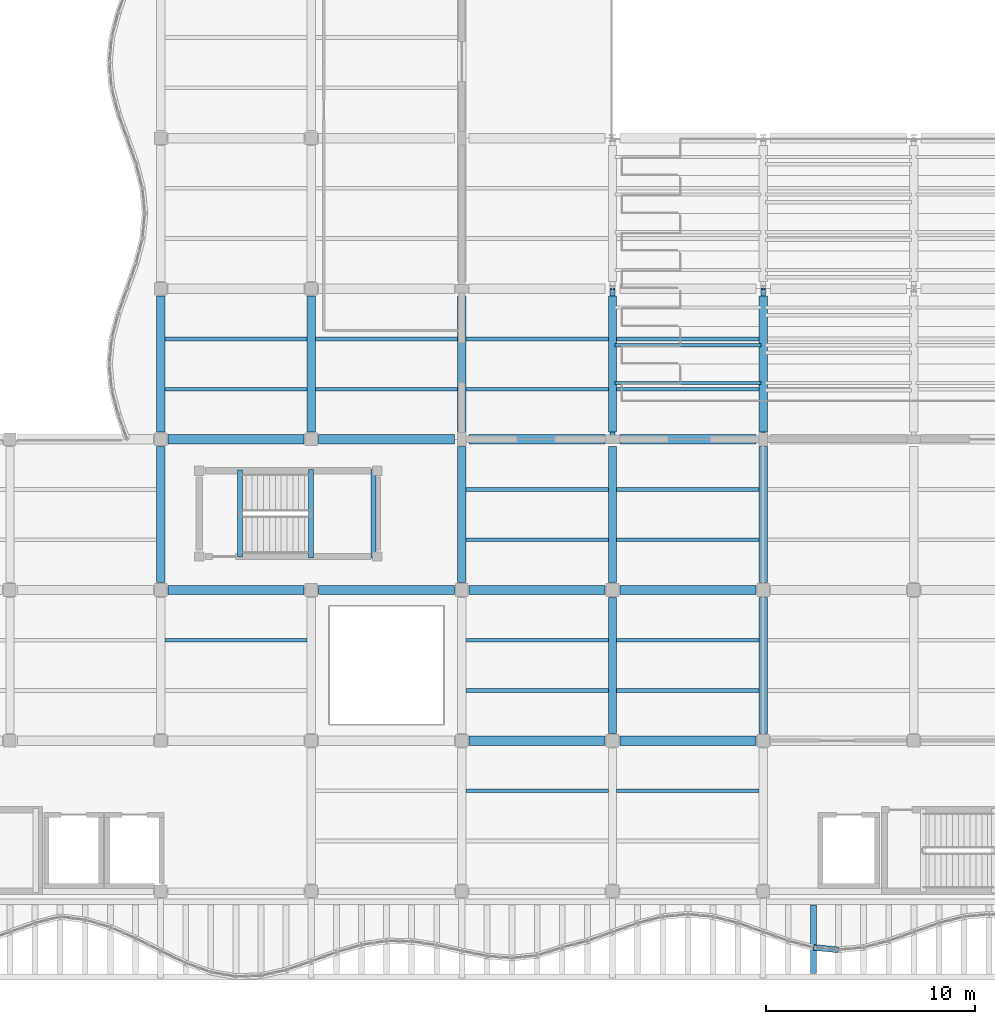
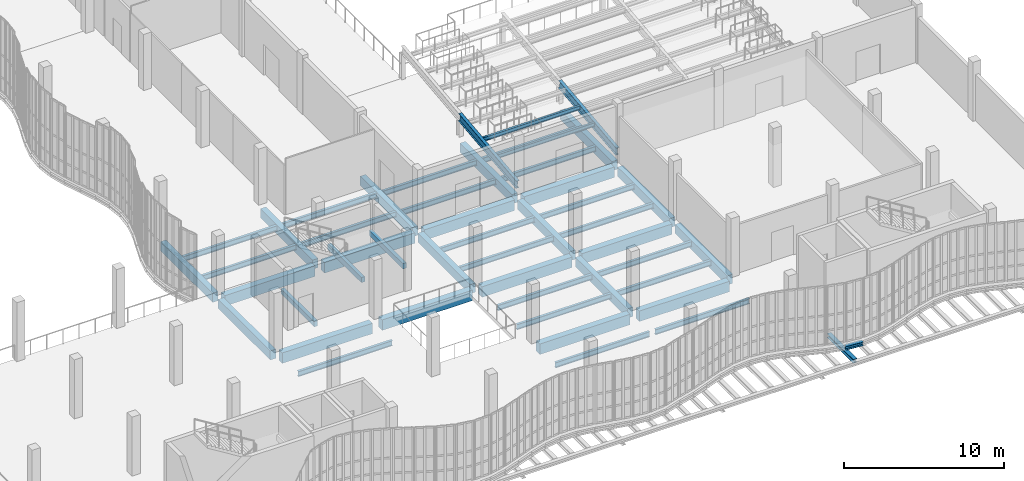
# One storey, part 31 of 105: 49 beams.
"""IFC4 building model written with IfcOpenShell, lengths in metres."""

from ifc_helpers import new_model, si_unit, direction, frame, origin, origin_2d, place, context, subcontext, project, spatial, rectangle, i_section, extrude, material, material_profile, profile_set, type_object, element, save


model = new_model("IFC4")

# Units and contexts
model_context = context("Model", 3, precision=1e-05, world=origin(), true_north=direction((0.0, 1.0)))
body_context = subcontext(model_context, "Body", "Model", "MODEL_VIEW")
ifc_project = project(units=[si_unit("LENGTHUNIT", "METRE"), si_unit("AREAUNIT", "SQUARE_METRE"), si_unit("VOLUMEUNIT", "CUBIC_METRE"), si_unit("PLANEANGLEUNIT", "RADIAN"), si_unit("MASSUNIT", "GRAM", prefix="KILO"), si_unit("THERMODYNAMICTEMPERATUREUNIT", "KELVIN"), si_unit("POWERUNIT", "WATT")], contexts=[model_context])

# Site, building, storey
site_placement = place(None, origin())
site = spatial("IfcSite", under=ifc_project, at=site_placement, CompositionType="ELEMENT")
building_placement = place(site_placement, origin())
building = spatial("IfcBuilding", under=site, at=building_placement, Name="Kaldorven Railside Theatre", CompositionType="ELEMENT")
storey_placement = place(building_placement, frame((0.0, 0.0, 9.89990234375)))
storey = spatial("IfcBuildingStorey", under=building, at=storey_placement, Name="L02", CompositionType="ELEMENT", Elevation=9.89990234375)

# Beams
ifc_material_1 = material(Name="Steel S355", Category="steel")
ifc_material_profile_1 = material_profile(ifc_material_1, i_section(OverallWidth=0.280029296875, OverallDepth=0.280029296875, WebThickness=0.010498046875, FlangeThickness=0.01806640625, at=origin_2d()), Name="HEB 280")
ifc_profile_set_1 = profile_set([ifc_material_profile_1], Name="Steel S355")
beam_type_1 = type_object("IfcBeamType", Name="BM-HEB280", PredefinedType="SPANDREL", material=ifc_profile_set_1)
beam_1_placement = place(storey_placement, frame((104.014892578125, 16.512451171875, -0.419921875), z_axis=(0.99552436473, -0.094505233873, 0.0), x_axis=(0.094505233873, 0.99552436473, 0.0)))
element("IfcBeam", 1, at=beam_1_placement, inside=storey, type_object=beam_type_1, Name="L02 Sinusoidal Flute Edge Spandrel FSB-129", PredefinedType="SPANDREL", context=body_context, shape_type="SweptSolid", body=[
    extrude(i_section(OverallWidth=0.280029296875, OverallDepth=0.280029296875, WebThickness=0.010498046875, FlangeThickness=0.01806640625, at=origin_2d()), origin(), (0.0, 0.0, 1.0), 1.175537109375),
])
beam_2_placement = place(storey_placement, frame((104.0, 15.260009765625, -0.699951171875), z_axis=(0.0, 1.0, 0.0), x_axis=(-1.0, 0.0, 0.0)))
element("IfcBeam", 2, at=beam_2_placement, inside=storey, type_object=beam_type_1, Name="L02 Sinusoidal Diaphragm Rib Outrigger FOB-M129", PredefinedType="SPANDREL", context=body_context, shape_type="SweptSolid", body=[
    extrude(i_section(OverallWidth=0.280029296875, OverallDepth=0.280029296875, WebThickness=0.010498046875, FlangeThickness=0.01806640625, at=origin_2d()), origin(), (0.0, 0.0, 1.0), 3.280029296875),
])
ifc_material_profile_2 = material_profile(ifc_material_1, i_section(OverallWidth=0.14990234375, OverallDepth=0.300048828125, WebThickness=0.007080078125, FlangeThickness=0.0107421875, at=origin_2d()), Name="IPE 300")
ifc_profile_set_2 = profile_set([ifc_material_profile_2], Name="Steel S355")
beam_type_2 = type_object("IfcBeamType", Name="BM-IPE300", PredefinedType="JOIST", material=ifc_profile_set_2)
for number, where, z_axis, x_axis, name in (
    (3, (94.510009765625, 43.5, 1.1201171875), (1.0, 0.0, 0.0), (0.0, 1.0, 0.0), "Seating Tier Transverse Bearer TBR-V1U-021"),
    (4, (94.510009765625, 45.300048828125, 1.320068359375), (1.0, 0.0, 0.0), (0.0, 1.0, 0.0), "Seating Tier Transverse Bearer TBR-V1U-031"),
):
    element("IfcBeam", number, at=place(storey_placement, frame(where, z_axis=z_axis, x_axis=x_axis)), inside=storey, type_object=beam_type_2, Name=name, PredefinedType="JOIST", context=body_context, shape_type="SweptSolid", body=[
        extrude(i_section(OverallWidth=0.14990234375, OverallDepth=0.300048828125, WebThickness=0.007080078125, FlangeThickness=0.0107421875, at=origin_2d()), origin(), (0.0, 0.0, 1.0), 6.97998046875),
    ])
ifc_material_profile_3 = material_profile(ifc_material_1, i_section(OverallWidth=0.179931640625, OverallDepth=0.39990234375, WebThickness=0.008544921875, FlangeThickness=0.013427734375, at=origin_2d()), Name="IPE 400")
ifc_profile_set_3 = profile_set([ifc_material_profile_3], Name="Steel S355")
beam_type_3 = type_object("IfcBeamType", Name="BM-IPE400", PredefinedType="JOIST", material=ifc_profile_set_3)
beam_3_placement = place(storey_placement, frame((87.39990234375, 24.0, -0.47998046875), z_axis=(1.0, 0.0, 0.0), x_axis=(0.0, 1.0, 0.0)))
element("IfcBeam", 5, at=beam_3_placement, inside=storey, type_object=beam_type_3, Name="L02 Secondary Floor Joist JG-L02-087-0240", PredefinedType="JOIST", context=body_context, shape_type="SweptSolid", body=[
    extrude(i_section(OverallWidth=0.179931640625, OverallDepth=0.39990234375, WebThickness=0.008544921875, FlangeThickness=0.013427734375, at=origin_2d()), origin(), (0.0, 0.0, 1.0), 6.800048828125),
])
beam_4_placement = place(storey_placement, frame((94.60009765625, 24.0, -0.47998046875), z_axis=(1.0, 0.0, 0.0), x_axis=(0.0, 1.0, 0.0)))
element("IfcBeam", 6, at=beam_4_placement, inside=storey, type_object=beam_type_3, Name="L02 Secondary Floor Joist JG-L02-094-0240", PredefinedType="JOIST", context=body_context, shape_type="SweptSolid", body=[
    extrude(i_section(OverallWidth=0.179931640625, OverallDepth=0.39990234375, WebThickness=0.008544921875, FlangeThickness=0.013427734375, at=origin_2d()), origin(), (0.0, 0.0, 1.0), 6.7998046875),
])
for number, where, z_axis, x_axis, name in (
    (7, (73.0, 31.199951171875, -0.47998046875), (1.0, 0.0, 0.0), (0.0, 1.0, 0.0), "L02 Secondary Floor Joist JG-L02-072-0312"),
    (8, (87.39990234375, 28.800048828125, -0.47998046875), (1.0, 0.0, 0.0), (0.0, 1.0, 0.0), "L02 Secondary Floor Joist JG-L02-087-0288"),
    (9, (87.39990234375, 31.199951171875, -0.47998046875), (1.0, 0.0, 0.0), (0.0, 1.0, 0.0), "L02 Secondary Floor Joist JG-L02-087-0312"),
):
    element("IfcBeam", number, at=place(storey_placement, frame(where, z_axis=z_axis, x_axis=x_axis)), inside=storey, type_object=beam_type_3, Name=name, PredefinedType="JOIST", context=body_context, shape_type="SweptSolid", body=[
        extrude(i_section(OverallWidth=0.179931640625, OverallDepth=0.39990234375, WebThickness=0.008544921875, FlangeThickness=0.013427734375, at=origin_2d()), origin(), (0.0, 0.0, 1.0), 6.800048828125),
    ])
for number, where, z_axis, x_axis, name in (
    (10, (94.60009765625, 28.800048828125, -0.47998046875), (1.0, 0.0, 0.0), (0.0, 1.0, 0.0), "L02 Secondary Floor Joist JG-L02-094-0288"),
    (11, (94.60009765625, 31.199951171875, -0.47998046875), (1.0, 0.0, 0.0), (0.0, 1.0, 0.0), "L02 Secondary Floor Joist JG-L02-094-0312"),
):
    element("IfcBeam", number, at=place(storey_placement, frame(where, z_axis=z_axis, x_axis=x_axis)), inside=storey, type_object=beam_type_3, Name=name, PredefinedType="JOIST", context=body_context, shape_type="SweptSolid", body=[
        extrude(i_section(OverallWidth=0.179931640625, OverallDepth=0.39990234375, WebThickness=0.008544921875, FlangeThickness=0.013427734375, at=origin_2d()), origin(), (0.0, 0.0, 1.0), 6.7998046875),
    ])
for number, where, z_axis, x_axis, name in (
    (12, (87.39990234375, 36.0, -0.47998046875), (1.0, 0.0, 0.0), (0.0, 1.0, 0.0), "L02 Secondary Floor Joist JG-L02-087-0360"),
    (13, (87.39990234375, 38.39990234375, -0.47998046875), (1.0, 0.0, 0.0), (0.0, 1.0, 0.0), "L02 Secondary Floor Joist JG-L02-087-0384"),
):
    element("IfcBeam", number, at=place(storey_placement, frame(where, z_axis=z_axis, x_axis=x_axis)), inside=storey, type_object=beam_type_3, Name=name, PredefinedType="JOIST", context=body_context, shape_type="SweptSolid", body=[
        extrude(i_section(OverallWidth=0.179931640625, OverallDepth=0.39990234375, WebThickness=0.008544921875, FlangeThickness=0.013427734375, at=origin_2d()), origin(), (0.0, 0.0, 1.0), 6.800048828125),
    ])
for number, where, z_axis, x_axis, name in (
    (14, (94.60009765625, 36.0, -0.47998046875), (1.0, 0.0, 0.0), (0.0, 1.0, 0.0), "L02 Secondary Floor Joist JG-L02-094-0360"),
    (15, (94.60009765625, 38.39990234375, -0.47998046875), (1.0, 0.0, 0.0), (0.0, 1.0, 0.0), "L02 Secondary Floor Joist JG-L02-094-0384"),
):
    element("IfcBeam", number, at=place(storey_placement, frame(where, z_axis=z_axis, x_axis=x_axis)), inside=storey, type_object=beam_type_3, Name=name, PredefinedType="JOIST", context=body_context, shape_type="SweptSolid", body=[
        extrude(i_section(OverallWidth=0.179931640625, OverallDepth=0.39990234375, WebThickness=0.008544921875, FlangeThickness=0.013427734375, at=origin_2d()), origin(), (0.0, 0.0, 1.0), 6.7998046875),
    ])
for number, where, z_axis, x_axis, name in (
    (16, (73.0, 43.199951171875, -0.449951171875), (1.0, 0.0, 0.0), (0.0, 1.0, 0.0), "L02 Secondary Floor Joist JG-L02-072-0432"),
    (17, (73.0, 45.60009765625, -0.449951171875), (1.0, 0.0, 0.0), (0.0, 1.0, 0.0), "L02 Secondary Floor Joist JG-L02-072-0456"),
    (18, (80.199951171875, 43.199951171875, -0.449951171875), (1.0, 0.0, 0.0), (0.0, 1.0, 0.0), "L02 Secondary Floor Joist JG-L02-080-0432"),
    (19, (80.199951171875, 45.60009765625, -0.449951171875), (1.0, 0.0, 0.0), (0.0, 1.0, 0.0), "L02 Secondary Floor Joist JG-L02-080-0456"),
    (20, (87.39990234375, 43.199951171875, -0.5), (1.0, 0.0, 0.0), (0.0, 1.0, 0.0), "L02 Secondary Floor Joist JG-L02-087-0432"),
    (21, (87.39990234375, 45.60009765625, -0.5), (1.0, 0.0, 0.0), (0.0, 1.0, 0.0), "L02 Secondary Floor Joist JG-L02-087-0456"),
):
    element("IfcBeam", number, at=place(storey_placement, frame(where, z_axis=z_axis, x_axis=x_axis)), inside=storey, type_object=beam_type_3, Name=name, PredefinedType="JOIST", context=body_context, shape_type="SweptSolid", body=[
        extrude(i_section(OverallWidth=0.179931640625, OverallDepth=0.39990234375, WebThickness=0.008544921875, FlangeThickness=0.013427734375, at=origin_2d()), origin(), (0.0, 0.0, 1.0), 6.800048828125),
    ])
for number, where, z_axis, x_axis, name in (
    (22, (94.60009765625, 43.199951171875, -0.5), (1.0, 0.0, 0.0), (0.0, 1.0, 0.0), "L02 Secondary Floor Joist JG-L02-094-0432"),
    (23, (94.60009765625, 45.60009765625, -0.5), (1.0, 0.0, 0.0), (0.0, 1.0, 0.0), "L02 Secondary Floor Joist JG-L02-094-0456"),
):
    element("IfcBeam", number, at=place(storey_placement, frame(where, z_axis=z_axis, x_axis=x_axis)), inside=storey, type_object=beam_type_3, Name=name, PredefinedType="JOIST", context=body_context, shape_type="SweptSolid", body=[
        extrude(i_section(OverallWidth=0.179931640625, OverallDepth=0.39990234375, WebThickness=0.008544921875, FlangeThickness=0.013427734375, at=origin_2d()), origin(), (0.0, 0.0, 1.0), 6.7998046875),
    ])
ifc_material_profile_4 = material_profile(ifc_material_1, i_section(OverallWidth=0.219970703125, OverallDepth=0.60009765625, WebThickness=0.011962890625, FlangeThickness=0.01904296875, at=origin_2d()), Name="IPE 600")
ifc_profile_set_4 = profile_set([ifc_material_profile_4], Name="Steel S355")
beam_type_4 = type_object("IfcBeamType", Name="BM-IPE600", PredefinedType="USERDEFINED", material=ifc_profile_set_4)
for number, where, z_axis, x_axis, name in (
    (24, (94.39990234375, 40.800048828125, 0.630126953125), (0.0, 0.993882912665, 0.110438923902), (-1.0, 0.0, 0.0), "Auditorium Raker Girder RKG-V1U-11"),
    (25, (101.60009765625, 40.800048828125, 0.630126953125), (0.0, 0.993882912665, 0.110438923902), (-1.0, 0.0, 0.0), "Auditorium Raker Girder RKG-V1U-21"),
):
    element("IfcBeam", number, at=place(storey_placement, frame(where, z_axis=z_axis, x_axis=x_axis)), inside=storey, type_object=beam_type_4, Name=name, ObjectType="RAKER BEAM", PredefinedType="USERDEFINED", context=body_context, shape_type="SweptSolid", body=[
        extrude(i_section(OverallWidth=0.219970703125, OverallDepth=0.60009765625, WebThickness=0.011962890625, FlangeThickness=0.01904296875, at=origin_2d()), origin(), (0.0, 0.0, 1.0), 7.244384765625),
    ])
ifc_material_2 = material(Name="Concrete C40/50", Category="concrete")
ifc_material_profile_5 = material_profile(ifc_material_2, rectangle(XDim=0.25, YDim=0.39990234375, at=origin_2d()), Name="RC 250x400")
ifc_profile_set_5 = profile_set([ifc_material_profile_5], Name="Concrete C40/50")
beam_type_5 = type_object("IfcBeamType", Name="BM-RC250x400", PredefinedType="LINTEL", material=ifc_profile_set_5)
beam_5_placement = place(storey_placement, frame((76.60009765625, 35.169921875, -0.344970703125), z_axis=(0.0, 1.0, 0.0), x_axis=(-1.0, 0.0, 0.0)))
element("IfcBeam", 26, at=beam_5_placement, inside=storey, type_object=beam_type_5, Name="Stair ST-07 L02 Landing Trimmer Beam", PredefinedType="LINTEL", context=body_context, shape_type="SweptSolid", body=[
    extrude(rectangle(XDim=0.25, YDim=0.39990234375, at=origin_2d()), origin(), (0.0, 0.0, 1.0), 4.16015625),
])
for number, where, z_axis, x_axis, name in (
    (27, (79.985107421875, 35.139892578125, 1.85009765625), (0.0, 1.0, 0.0), (-1.0, 0.0, 0.0), "Stair ST-07 L02 Half-Landing Bearer"),
    (28, (82.97998046875, 35.139892578125, 1.85009765625), (0.0, 1.0, 0.0), (-1.0, 0.0, 0.0), "Stair ST-07 L02 Half-Landing Bearer"),
):
    element("IfcBeam", number, at=place(storey_placement, frame(where, z_axis=z_axis, x_axis=x_axis)), inside=storey, type_object=beam_type_5, Name=name, PredefinedType="LINTEL", context=body_context, shape_type="SweptSolid", body=[
        extrude(rectangle(XDim=0.25, YDim=0.39990234375, at=origin_2d()), origin(), (0.0, 0.0, 1.0), 4.22021484375),
    ])
ifc_material_profile_6 = material_profile(ifc_material_2, rectangle(XDim=0.39990234375, YDim=0.699951171875, at=origin_2d()), Name="RC 400x700")
ifc_profile_set_6 = profile_set([ifc_material_profile_6], Name="Concrete C40/50")
beam_type_6 = type_object("IfcBeamType", Name="BM-RC400x700", PredefinedType="BEAM", material=ifc_profile_set_6)
for number, where, z_axis, x_axis, name in (
    (29, (94.39990234375, 26.75, -0.6298828125), (0.0, 1.0, 0.0), (-1.0, 0.0, 0.0), "L02 Girder BGY-L02-094-026-72"),
    (30, (101.60009765625, 26.75, -0.6298828125), (0.0, 1.0, 0.0), (-1.0, 0.0, 0.0), "L02 Girder BGY-L02-101-026-72"),
    (31, (72.800048828125, 33.949951171875, -0.6298828125), (0.0, 1.0, 0.0), (-1.0, 0.0, 0.0), "L02 Girder BGY-L02-072-033-72"),
    (32, (87.199951171875, 33.949951171875, -0.6298828125), (0.0, 1.0, 0.0), (-1.0, 0.0, 0.0), "L02 Girder BGY-L02-087-033-72"),
    (33, (94.39990234375, 33.949951171875, -0.6298828125), (0.0, 1.0, 0.0), (-1.0, 0.0, 0.0), "L02 Girder BGY-L02-094-033-72"),
    (34, (101.60009765625, 33.949951171875, -0.6298828125), (0.0, 1.0, 0.0), (-1.0, 0.0, 0.0), "L02 Girder BGY-L02-101-033-72"),
    (35, (72.800048828125, 41.14990234375, -0.599853515625), (0.0, 1.0, 0.0), (-1.0, 0.0, 0.0), "L02 Girder BGY-L02-072-040-72"),
    (36, (80.0, 41.14990234375, -0.599853515625), (0.0, 1.0, 0.0), (-1.0, 0.0, 0.0), "L02 Girder BGY-L02-080-040-72"),
    (37, (87.199951171875, 41.14990234375, -0.64990234375), (0.0, 1.0, 0.0), (-1.0, 0.0, 0.0), "L02 Girder BGY-L02-087-040-72"),
    (38, (94.39990234375, 41.14990234375, -0.64990234375), (0.0, 1.0, 0.0), (-1.0, 0.0, 0.0), "L02 Girder BGY-L02-094-040-72"),
    (39, (101.60009765625, 41.14990234375, -0.64990234375), (0.0, 1.0, 0.0), (-1.0, 0.0, 0.0), "L02 Girder BGY-L02-101-040-72"),
):
    element("IfcBeam", number, at=place(storey_placement, frame(where, z_axis=z_axis, x_axis=x_axis)), inside=storey, type_object=beam_type_6, Name=name, PredefinedType="BEAM", context=body_context, shape_type="SweptSolid", body=[
        extrude(rectangle(XDim=0.39990234375, YDim=0.699951171875, at=origin_2d()), origin(), (0.0, 0.0, 1.0), 6.5),
    ])
ifc_material_profile_7 = material_profile(ifc_material_2, rectangle(XDim=0.449951171875, YDim=0.800048828125, at=origin_2d()), Name="RC 450x800")
ifc_profile_set_7 = profile_set([ifc_material_profile_7], Name="Concrete C40/50")
beam_type_7 = type_object("IfcBeamType", Name="BM-RC450x800", PredefinedType="BEAM", material=ifc_profile_set_7)
for number, where, z_axis, x_axis, name in (
    (40, (87.550048828125, 26.39990234375, -0.679931640625), (1.0, 0.0, 0.0), (0.0, 1.0, 0.0), "L02 Girder BGX-L02-087-026"),
    (41, (94.75, 26.39990234375, -0.679931640625), (1.0, 0.0, 0.0), (0.0, 1.0, 0.0), "L02 Girder BGX-L02-094-026"),
    (42, (73.14990234375, 33.60009765625, -0.679931640625), (1.0, 0.0, 0.0), (0.0, 1.0, 0.0), "L02 Girder BGX-L02-072-033"),
    (43, (80.35009765625, 33.60009765625, -0.679931640625), (1.0, 0.0, 0.0), (0.0, 1.0, 0.0), "L02 Girder BGX-L02-080-033"),
    (44, (87.550048828125, 33.60009765625, -0.679931640625), (1.0, 0.0, 0.0), (0.0, 1.0, 0.0), "L02 Girder BGX-L02-087-033"),
    (45, (94.75, 33.60009765625, -0.679931640625), (1.0, 0.0, 0.0), (0.0, 1.0, 0.0), "L02 Girder BGX-L02-094-033"),
    (46, (73.14990234375, 40.800048828125, -0.679931640625), (1.0, 0.0, 0.0), (0.0, 1.0, 0.0), "L02 Girder BGX-L02-072-040"),
    (47, (80.35009765625, 40.800048828125, -0.679931640625), (1.0, 0.0, 0.0), (0.0, 1.0, 0.0), "L02 Girder BGX-L02-080-040"),
    (48, (87.550048828125, 40.800048828125, -0.699951171875), (1.0, 0.0, 0.0), (0.0, 1.0, 0.0), "L02 Girder BGX-L02-087-040"),
    (49, (94.75, 40.800048828125, -0.699951171875), (1.0, 0.0, 0.0), (0.0, 1.0, 0.0), "L02 Girder BGX-L02-094-040"),
):
    element("IfcBeam", number, at=place(storey_placement, frame(where, z_axis=z_axis, x_axis=x_axis)), inside=storey, type_object=beam_type_7, Name=name, PredefinedType="BEAM", context=body_context, shape_type="SweptSolid", body=[
        extrude(rectangle(XDim=0.449951171875, YDim=0.800048828125, at=origin_2d()), origin(), (0.0, 0.0, 1.0), 6.5),
    ])

save(model, "model.ifc")
